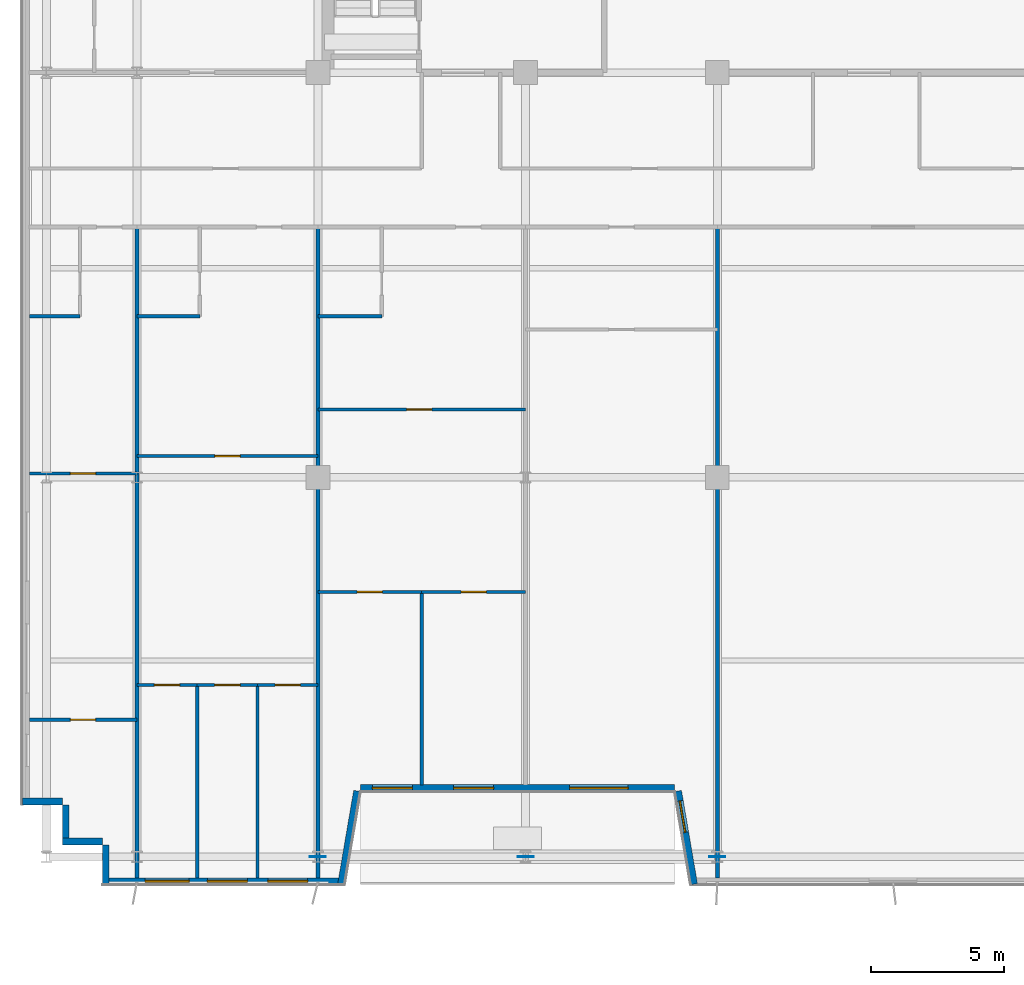
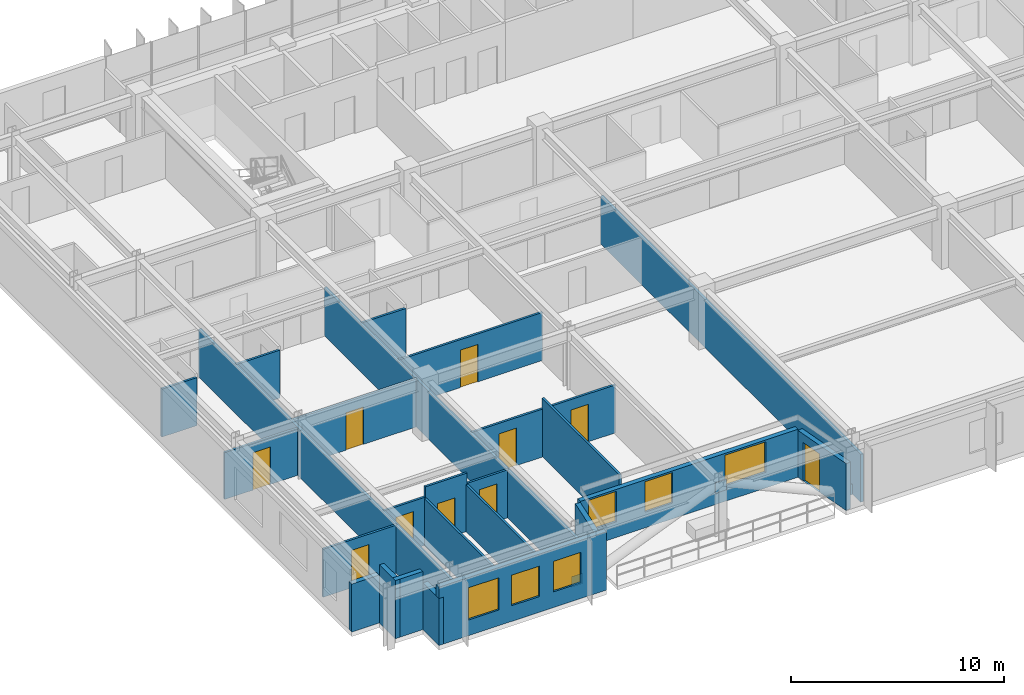
# One storey, part 15 of 23: 26 walls, 10 doors, 6 windows, 3 plates, 16 openings.
"""IFC4 building model written with IfcOpenShell, lengths in metres."""

from ifc_helpers import new_model, si_unit, direction, frame, frame_2d, origin, origin_2d, place, context, subcontext, project, spatial, rectangle, extrude, source, transform, mapped, material, layer, layer_set, type_object, element, fill, save


model = new_model("IFC4")

# Units and contexts
model_context = context("Model", 3, precision=1e-05, world=origin(), true_north=direction((0.0, 1.0)))
body_context = subcontext(model_context, "Body", "Model", "MODEL_VIEW")
ifc_project = project(units=[si_unit("LENGTHUNIT", "METRE"), si_unit("AREAUNIT", "SQUARE_METRE"), si_unit("VOLUMEUNIT", "CUBIC_METRE"), si_unit("PLANEANGLEUNIT", "RADIAN"), si_unit("MASSUNIT", "GRAM", prefix="KILO")], contexts=[model_context])

# Site, building, storey
site_placement = place(None, origin())
site = spatial("IfcSite", under=ifc_project, at=site_placement, CompositionType="ELEMENT")
building_placement = place(site_placement, origin())
building = spatial("IfcBuilding", under=site, at=building_placement, Name="Trelvane Seafront Commons", CompositionType="ELEMENT")
storey_placement = place(building_placement, frame((0.0, 0.0, 63.10009765625)))
storey = spatial("IfcBuildingStorey", under=building, at=storey_placement, Name="L16", CompositionType="ELEMENT", Elevation=63.10009765625)

# Plates
ifc_material_1 = material(Name="Steel SM355 (S355)", Category="steel")
ifc_layer_1 = layer(ifc_material_1, 0.031982421875, Name="STR-PLT-GUS2")
ifc_layer_set_1 = layer_set([ifc_layer_1], Name="Steel SM355 (S355)")
plate_type = type_object("IfcPlateType", Name="STR-PLT-GUS2", PredefinedType="SHEET", material=ifc_layer_set_1)
shared_shape_1 = source(origin(), body_context, "Body", "SweptSolid", [
    extrude(rectangle(XDim=0.60009765625, YDim=0.031982421875, at=origin_2d()), origin(), (0.0, 0.0, 1.0), 0.60009765625),
])
for number, where, z_axis, x_axis, name in (
    (1, (15.60009765625, 3.949951171875, -0.020263671875), (0.0, 0.0, 1.0), (1.0, 0.0, 0.0), "L16 Brace Connection Gusset Plate GP-162"),
    (2, (23.39990234375, 3.949951171875, 2.639892578125), (0.0, 0.0, 1.0), (1.0, 0.0, 0.0), "L16 Brace Connection Gusset Plate GP-163"),
    (3, (30.60009765625, 3.949951171875, -0.020263671875), (0.0, 0.0, 1.0), (1.0, 0.0, 0.0), "L16 Brace Connection Gusset Plate GP-164"),
):
    element("IfcPlate", number, at=place(storey_placement, frame(where, z_axis=z_axis, x_axis=x_axis)), inside=storey, type_object=plate_type, Name=name, PredefinedType="SHEET", context=body_context, shape_type="MappedRepresentation", body=[
        mapped(shared_shape_1, transform((0.0, 0.0, 0.0), x_axis=(1.0, 0.0, 0.0), y_axis=(0.0, 1.0, 0.0), z_axis=(0.0, 0.0, 1.0), scale=1.0)),
    ])

# Walls
ifc_material_2 = material(Name="Precast concrete C40/50", Category="concrete")
ifc_layer_2 = layer(ifc_material_2, 0.260009765625, Name="ARCH-WALL-EXT260")
ifc_layer_set_2 = layer_set([ifc_layer_2], Name="Precast concrete C40/50")
wall_type_1 = type_object("IfcWallType", Name="ARCH-WALL-EXT260", PredefinedType="SOLIDWALL", material=ifc_layer_set_2)
for number, where, z_axis, x_axis, name in (
    (4, (7.5, 4.530029296875, 0.0), (0.0, 0.0, 1.0), (-1.0, 0.0, 0.0), "EW-L16-00278"),
    (5, (6.1298828125, 4.39990234375, 0.0), (0.0, 0.0, 1.0), (0.0, 1.0, 0.0), "EW-L16-00279"),
):
    element("IfcWall", number, at=place(storey_placement, frame(where, z_axis=z_axis, x_axis=x_axis)), inside=storey, type_object=wall_type_1, Name=name, PredefinedType="SOLIDWALL", context=body_context, shape_type="SweptSolid", body=[
        extrude(rectangle(XDim=1.5, YDim=0.260009765625, at=frame_2d((0.75, 0.0))), origin(), (0.0, 0.0, 1.0), 3.33984375),
    ])
wall_1_placement = place(storey_placement, frame((6.0, 6.030029296875, 0.0), z_axis=(0.0, 0.0, 1.0), x_axis=(-1.0, 0.0, 0.0)))
element("IfcWall", 6, at=wall_1_placement, inside=storey, type_object=wall_type_1, Name="EW-L16-00280", PredefinedType="SOLIDWALL", context=body_context, shape_type="SweptSolid", body=[
    extrude(rectangle(XDim=1.5, YDim=0.260009765625, at=frame_2d((0.75, 0.0))), origin(), (0.0, 0.0, 1.0), 2.751953125),
])

# Wall, opening, door
wall_2_placement = place(storey_placement, frame((29.72802734375, 2.922119140625, 0.0), z_axis=(0.0, 0.0, 1.0), x_axis=(-0.168923741424, 0.98562912375, 0.0)))
wall_2 = element("IfcWall", 7, at=wall_2_placement, inside=storey, type_object=wall_type_1, Name="EW-L16-00296", PredefinedType="SOLIDWALL", context=body_context, shape_type="SweptSolid", body=[
    extrude(rectangle(XDim=3.551025390625, YDim=0.260009765625, at=frame_2d((1.775390625, 0.0))), origin(), (0.0, 0.0, 1.0), 2.68994140625),
])
opening_1_placement = place(wall_2_placement, frame((1.970947265625, 0.0, 0.0)))
opening_1 = element("IfcOpeningElement", 8, at=opening_1_placement, cuts=wall_2, Name="Opening TD-L16-43", PredefinedType="OPENING", context=body_context, shape_type="SweptSolid", body=[
    extrude(rectangle(XDim=1.199951171875, YDim=2.199951171875, at=frame_2d((0.60009765625, 1.10009765625))), frame((0.0, 0.139892578125, 0.0), z_axis=(0.0, -1.0, 0.0), x_axis=(1.0, 0.0, 0.0)), (0.0, 0.0, 1.0), 0.280029296875),
])
ifc_material_3 = material(Name="Powder-coated aluminium frame", Category="aluminium")
door_type_1 = type_object("IfcDoorType", Name="ARCH-DR-BAL1200", OperationType="NOTDEFINED", PredefinedType="DOOR", material=ifc_material_3)
shared_shape_2 = source(origin(), body_context, "Body", "SweptSolid", [
    extrude(rectangle(XDim=1.199951171875, YDim=2.199951171875, at=frame_2d((0.60009765625, 1.10009765625))), frame((0.0, 0.02490234375, 0.0), z_axis=(0.0, -1.0, 0.0), x_axis=(1.0, 0.0, 0.0)), (0.0, 0.0, 1.0), 0.050048828125),
])
door_1_placement = place(opening_1_placement, origin())
door_1 = element("IfcDoor", 9, at=door_1_placement, inside=storey, type_object=door_type_1, Name="L16 Setback Terrace Access Door", OperationType="SINGLE_SWING_RIGHT", OverallHeight=2.199951171875, OverallWidth=1.199951171875, PredefinedType="DOOR", context=body_context, shape_type="MappedRepresentation", body=[
    mapped(shared_shape_2, transform((0.0, 0.0, 0.0), x_axis=(1.0, 0.0, 0.0), y_axis=(0.0, 1.0, 0.0), z_axis=(0.0, 0.0, 1.0), scale=1.0)),
])
fill(opening_1, door_1)

# Wall, openings, windows
wall_3_placement = place(storey_placement, frame((29.0, 6.530029296875, 0.0), z_axis=(0.0, 0.0, 1.0), x_axis=(-1.0, 0.0, 0.0)))
wall_3 = element("IfcWall", 10, at=wall_3_placement, inside=storey, type_object=wall_type_1, Name="EW-L16-00297", PredefinedType="SOLIDWALL", context=body_context, shape_type="SweptSolid", body=[
    extrude(rectangle(XDim=11.800048828125, YDim=0.260009765625, at=frame_2d((5.89990234375, 0.0))), origin(), (0.0, 0.0, 1.0), 2.751953125),
])
opening_2_placement = place(wall_3_placement, frame((1.7451171875, 0.0, 0.89990234375)))
opening_2 = element("IfcOpeningElement", 11, at=opening_2_placement, cuts=wall_3, Name="Opening W02", PredefinedType="OPENING", context=body_context, shape_type="SweptSolid", body=[
    extrude(rectangle(XDim=2.199951171875, YDim=1.75, at=frame_2d((1.10009765625, 0.875))), frame((0.0, 0.139892578125, 0.0), z_axis=(0.0, -1.0, 0.0), x_axis=(1.0, 0.0, 0.0)), (0.0, 0.0, 1.0), 0.280029296875),
])
opening_3_placement = place(wall_3_placement, frame((6.800048828125, 0.0, 0.89990234375)))
opening_3 = element("IfcOpeningElement", 12, at=opening_3_placement, cuts=wall_3, Name="Opening W03", PredefinedType="OPENING", context=body_context, shape_type="SweptSolid", body=[
    extrude(rectangle(XDim=1.5, YDim=1.75, at=frame_2d((0.75, 0.875))), frame((0.0, 0.139892578125, 0.0), z_axis=(0.0, -1.0, 0.0), x_axis=(1.0, 0.0, 0.0)), (0.0, 0.0, 1.0), 0.280029296875),
])
opening_4_placement = place(wall_3_placement, frame((9.85498046875, 0.0, 0.89990234375)))
opening_4 = element("IfcOpeningElement", 13, at=opening_4_placement, cuts=wall_3, Name="Opening W03", PredefinedType="OPENING", context=body_context, shape_type="SweptSolid", body=[
    extrude(rectangle(XDim=1.5, YDim=1.75, at=frame_2d((0.75, 0.875))), frame((0.0, 0.139892578125, 0.0), z_axis=(0.0, -1.0, 0.0), x_axis=(1.0, 0.0, 0.0)), (0.0, 0.0, 1.0), 0.280029296875),
])
ifc_material_4 = material(Name="Low-E coastal double glazing", Category="glass")
window_type_1 = type_object("IfcWindowType", Name="ARCH-WIN-W03", PartitioningType="SINGLE_PANEL", PredefinedType="WINDOW", material=ifc_material_4)
shared_shape_3 = source(origin(), body_context, "Body", "SweptSolid", [
    extrude(rectangle(XDim=1.5, YDim=1.75, at=frame_2d((0.75, 0.875))), frame((0.0, 0.030029296875, 0.0), z_axis=(0.0, -1.0, 0.0), x_axis=(1.0, 0.0, 0.0)), (0.0, 0.0, 1.0), 0.06005859375),
])
window_1_placement = place(opening_3_placement, origin())
window_1 = element("IfcWindow", 14, at=window_1_placement, inside=storey, type_object=window_type_1, Name="WIN-L16-00350", OverallHeight=1.75, OverallWidth=1.5, PartitioningType="SINGLE_PANEL", PredefinedType="WINDOW", context=body_context, shape_type="MappedRepresentation", body=[
    mapped(shared_shape_3, transform((0.0, 0.0, 0.0), x_axis=(1.0, 0.0, 0.0), y_axis=(0.0, 1.0, 0.0), z_axis=(0.0, 0.0, 1.0), scale=1.0)),
])
fill(opening_3, window_1)
window_2_placement = place(opening_4_placement, origin())
window_2 = element("IfcWindow", 15, at=window_2_placement, inside=storey, type_object=window_type_1, Name="WIN-L16-00351", OverallHeight=1.75, OverallWidth=1.5, PartitioningType="SINGLE_PANEL", PredefinedType="WINDOW", context=body_context, shape_type="MappedRepresentation", body=[
    mapped(shared_shape_3, transform((0.0, 0.0, 0.0), x_axis=(1.0, 0.0, 0.0), y_axis=(0.0, 1.0, 0.0), z_axis=(0.0, 0.0, 1.0), scale=1.0)),
])
fill(opening_4, window_2)
window_type_2 = type_object("IfcWindowType", Name="ARCH-WIN-W02", PartitioningType="SINGLE_PANEL", PredefinedType="WINDOW", material=ifc_material_4)
shared_shape_4 = source(origin(), body_context, "Body", "SweptSolid", [
    extrude(rectangle(XDim=2.199951171875, YDim=1.75, at=frame_2d((1.10009765625, 0.875))), frame((0.0, 0.030029296875, 0.0), z_axis=(0.0, -1.0, 0.0), x_axis=(1.0, 0.0, 0.0)), (0.0, 0.0, 1.0), 0.06005859375),
])
window_3_placement = place(opening_2_placement, origin())
window_3 = element("IfcWindow", 16, at=window_3_placement, inside=storey, type_object=window_type_2, Name="WIN-L16-00349", OverallHeight=1.75, OverallWidth=2.199951171875, PartitioningType="SINGLE_PANEL", PredefinedType="WINDOW", context=body_context, shape_type="MappedRepresentation", body=[
    mapped(shared_shape_4, transform((0.0, 0.0, 0.0), x_axis=(1.0, 0.0, 0.0), y_axis=(0.0, 1.0, 0.0), z_axis=(0.0, 0.0, 1.0), scale=1.0)),
])
fill(opening_2, window_3)

# Wall
wall_4_placement = place(storey_placement, frame((17.072021484375, 6.422119140625, 0.0), z_axis=(0.0, 0.0, 1.0), x_axis=(-0.168990530437, -0.98561767467, 0.0)))
element("IfcWall", 17, at=wall_4_placement, inside=storey, type_object=wall_type_1, Name="EW-L16-00298", PredefinedType="SOLIDWALL", context=body_context, shape_type="SweptSolid", body=[
    extrude(rectangle(XDim=3.551025390625, YDim=0.260009765625, at=frame_2d((1.775390625, 0.0))), origin(), (0.0, 0.0, 1.0), 2.68994140625),
])

# Wall, openings, windows
wall_5_placement = place(storey_placement, frame((16.60009765625, 3.030029296875, 0.0), z_axis=(0.0, 0.0, 1.0), x_axis=(-1.0, 0.0, 0.0)))
wall_5 = element("IfcWall", 18, at=wall_5_placement, inside=storey, type_object=wall_type_1, Name="EW-L16-00299", PredefinedType="SOLIDWALL", context=body_context, shape_type="SweptSolid", body=[
    extrude(rectangle(XDim=9.10009765625, YDim=0.260009765625, at=frame_2d((4.550048828125, 0.0))), origin(), (0.0, 0.0, 1.0), 3.33984375),
])
opening_5_placement = place(wall_5_placement, frame((1.383056640625, 0.0, 0.89990234375)))
opening_5 = element("IfcOpeningElement", 19, at=opening_5_placement, cuts=wall_5, Name="Opening W03", PredefinedType="OPENING", context=body_context, shape_type="SweptSolid", body=[
    extrude(rectangle(XDim=1.5, YDim=1.75, at=frame_2d((0.75, 0.875))), frame((0.0, 0.139892578125, 0.0), z_axis=(0.0, -1.0, 0.0), x_axis=(1.0, 0.0, 0.0)), (0.0, 0.0, 1.0), 0.280029296875),
])
opening_6_placement = place(wall_5_placement, frame((3.64990234375, 0.0, 0.89990234375)))
opening_6 = element("IfcOpeningElement", 20, at=opening_6_placement, cuts=wall_5, Name="Opening W03", PredefinedType="OPENING", context=body_context, shape_type="SweptSolid", body=[
    extrude(rectangle(XDim=1.5, YDim=1.75, at=frame_2d((0.75, 0.875))), frame((0.0, 0.139892578125, 0.0), z_axis=(0.0, -1.0, 0.0), x_axis=(1.0, 0.0, 0.0)), (0.0, 0.0, 1.0), 0.280029296875),
])
opening_7_placement = place(wall_5_placement, frame((5.841064453125, 0.0, 0.89990234375)))
opening_7 = element("IfcOpeningElement", 21, at=opening_7_placement, cuts=wall_5, Name="Opening W07", PredefinedType="OPENING", context=body_context, shape_type="SweptSolid", body=[
    extrude(rectangle(XDim=1.64990234375, YDim=1.85009765625, at=frame_2d((0.824951171875, 0.925048828125))), frame((0.0, 0.139892578125, 0.0), z_axis=(0.0, -1.0, 0.0), x_axis=(1.0, 0.0, 0.0)), (0.0, 0.0, 1.0), 0.280029296875),
])
window_4_placement = place(opening_5_placement, origin())
window_4 = element("IfcWindow", 22, at=window_4_placement, inside=storey, type_object=window_type_1, Name="WIN-L16-00352", OverallHeight=1.75, OverallWidth=1.5, PartitioningType="SINGLE_PANEL", PredefinedType="WINDOW", context=body_context, shape_type="MappedRepresentation", body=[
    mapped(shared_shape_3, transform((0.0, 0.0, 0.0), x_axis=(1.0, 0.0, 0.0), y_axis=(0.0, 1.0, 0.0), z_axis=(0.0, 0.0, 1.0), scale=1.0)),
])
fill(opening_5, window_4)
window_5_placement = place(opening_6_placement, origin())
window_5 = element("IfcWindow", 23, at=window_5_placement, inside=storey, type_object=window_type_1, Name="WIN-L16-00353", OverallHeight=1.75, OverallWidth=1.5, PartitioningType="SINGLE_PANEL", PredefinedType="WINDOW", context=body_context, shape_type="MappedRepresentation", body=[
    mapped(shared_shape_3, transform((0.0, 0.0, 0.0), x_axis=(1.0, 0.0, 0.0), y_axis=(0.0, 1.0, 0.0), z_axis=(0.0, 0.0, 1.0), scale=1.0)),
])
fill(opening_6, window_5)
window_type_3 = type_object("IfcWindowType", Name="ARCH-WIN-W07", PartitioningType="SINGLE_PANEL", PredefinedType="WINDOW", material=ifc_material_4)
shared_shape_5 = source(origin(), body_context, "Body", "SweptSolid", [
    extrude(rectangle(XDim=1.64990234375, YDim=1.85009765625, at=frame_2d((0.824951171875, 0.925048828125))), frame((0.0, 0.030029296875, 0.0), z_axis=(0.0, -1.0, 0.0), x_axis=(1.0, 0.0, 0.0)), (0.0, 0.0, 1.0), 0.06005859375),
])
window_6_placement = place(opening_7_placement, origin())
window_6 = element("IfcWindow", 24, at=window_6_placement, inside=storey, type_object=window_type_3, Name="WIN-L16-00354", OverallHeight=1.85009765625, OverallWidth=1.64990234375, PartitioningType="SINGLE_PANEL", PredefinedType="WINDOW", context=body_context, shape_type="MappedRepresentation", body=[
    mapped(shared_shape_5, transform((0.0, 0.0, 0.0), x_axis=(1.0, 0.0, 0.0), y_axis=(0.0, 1.0, 0.0), z_axis=(0.0, 0.0, 1.0), scale=1.0)),
])
fill(opening_7, window_6)

# Wall
wall_6_placement = place(storey_placement, frame((7.6298828125, 2.89990234375, 0.0), z_axis=(0.0, 0.0, 1.0), x_axis=(0.0, 1.0, 0.0)))
element("IfcWall", 25, at=wall_6_placement, inside=storey, type_object=wall_type_1, Name="EW-L16-00300", PredefinedType="SOLIDWALL", context=body_context, shape_type="SweptSolid", body=[
    extrude(rectangle(XDim=1.5, YDim=0.260009765625, at=frame_2d((0.75, 0.0))), origin(), (0.0, 0.0, 1.0), 2.68994140625),
])

# Wall, opening, door
ifc_material_5 = material(Name="Gypsum Drywall Acoustic Partition")
ifc_layer_3 = layer(ifc_material_5, 0.1201171875, Name="ARCH-WALL-PART120")
ifc_layer_set_3 = layer_set([ifc_layer_3], Name="Gypsum Drywall Acoustic Partition")
wall_type_2 = type_object("IfcWallType", Name="ARCH-WALL-PART120", PredefinedType="PARTITIONING", material=ifc_layer_set_3)
wall_7_placement = place(storey_placement, frame((4.760009765625, 18.35009765625, 0.0), z_axis=(0.0, 0.0, 1.0), x_axis=(1.0, 0.0, 0.0)))
wall_7 = element("IfcWall", 26, at=wall_7_placement, inside=storey, type_object=wall_type_2, Name="W-L16-U1-KL-068", PredefinedType="PARTITIONING", context=body_context, shape_type="SweptSolid", body=[
    extrude(rectangle(XDim=4.0400390625, YDim=0.1201171875, at=frame_2d((2.02001953125, 0.0))), origin(), (0.0, 0.0, 1.0), 2.68994140625),
])
opening_8_placement = place(wall_7_placement, frame((1.544921875, 0.0, 0.0)))
opening_8 = element("IfcOpeningElement", 27, at=opening_8_placement, cuts=wall_7, Name="Opening D-L16-33", PredefinedType="OPENING", context=body_context, shape_type="SweptSolid", body=[
    extrude(rectangle(XDim=0.949951171875, YDim=2.14990234375, at=frame_2d((0.47509765625, 1.074951171875))), frame((0.0, 0.070068359375, 0.0), z_axis=(0.0, -1.0, 0.0), x_axis=(1.0, 0.0, 0.0)), (0.0, 0.0, 1.0), 0.14013671875),
])
ifc_material_6 = material(Name="Acoustic timber door leaf", Category="wood")
door_type_2 = type_object("IfcDoorType", Name="ARCH-DR-INT950", OperationType="NOTDEFINED", PredefinedType="DOOR", material=ifc_material_6)
shared_shape_6 = source(origin(), body_context, "Body", "SweptSolid", [
    extrude(rectangle(XDim=0.949951171875, YDim=2.14990234375, at=frame_2d((0.47509765625, 1.074951171875))), frame((0.0, 0.02490234375, 0.0), z_axis=(0.0, -1.0, 0.0), x_axis=(1.0, 0.0, 0.0)), (0.0, 0.0, 1.0), 0.050048828125),
])
door_2_placement = place(opening_8_placement, origin())
door_2 = element("IfcDoor", 28, at=door_2_placement, inside=storey, type_object=door_type_2, Name="L16 Door 33", OperationType="SINGLE_SWING_LEFT", OverallHeight=2.14990234375, OverallWidth=0.949951171875, PredefinedType="DOOR", context=body_context, shape_type="MappedRepresentation", body=[
    mapped(shared_shape_6, transform((0.0, 0.0, 0.0), x_axis=(1.0, 0.0, 0.0), y_axis=(0.0, 1.0, 0.0), z_axis=(0.0, 0.0, 1.0), scale=1.0)),
])
fill(opening_8, door_2)

# Wall
wall_8_placement = place(storey_placement, frame((4.760009765625, 24.25, 0.0), z_axis=(0.0, 0.0, 1.0), x_axis=(1.0, 0.0, 0.0)))
element("IfcWall", 29, at=wall_8_placement, inside=storey, type_object=wall_type_2, Name="W-L16-U1-BS-070", PredefinedType="PARTITIONING", context=body_context, shape_type="SweptSolid", body=[
    extrude(rectangle(XDim=1.89990234375, YDim=0.1201171875, at=frame_2d((0.949951171875, 0.0))), origin(), (0.0, 0.0, 1.0), 2.751953125),
])

# Wall, opening, door
wall_9_placement = place(storey_placement, frame((4.760009765625, 9.10009765625, 0.0), z_axis=(0.0, 0.0, 1.0), x_axis=(1.0, 0.0, 0.0)))
wall_9 = element("IfcWall", 30, at=wall_9_placement, inside=storey, type_object=wall_type_2, Name="W-L16-U1-YM-1-072", PredefinedType="PARTITIONING", context=body_context, shape_type="SweptSolid", body=[
    extrude(rectangle(XDim=4.0400390625, YDim=0.1201171875, at=frame_2d((2.02001953125, 0.0))), origin(), (0.0, 0.0, 1.0), 2.751953125),
])
opening_9_placement = place(wall_9_placement, frame((1.544921875, 0.0, 0.0)))
opening_9 = element("IfcOpeningElement", 31, at=opening_9_placement, cuts=wall_9, Name="Opening D-L16-36", PredefinedType="OPENING", context=body_context, shape_type="SweptSolid", body=[
    extrude(rectangle(XDim=0.949951171875, YDim=2.14990234375, at=frame_2d((0.47509765625, 1.074951171875))), frame((0.0, 0.070068359375, 0.0), z_axis=(0.0, -1.0, 0.0), x_axis=(1.0, 0.0, 0.0)), (0.0, 0.0, 1.0), 0.14013671875),
])
door_3_placement = place(opening_9_placement, origin())
door_3 = element("IfcDoor", 32, at=door_3_placement, inside=storey, type_object=door_type_2, Name="L16 Door 36", OperationType="SINGLE_SWING_RIGHT", OverallHeight=2.14990234375, OverallWidth=0.949951171875, PredefinedType="DOOR", context=body_context, shape_type="MappedRepresentation", body=[
    mapped(shared_shape_6, transform((0.0, 0.0, 0.0), x_axis=(1.0, 0.0, 0.0), y_axis=(0.0, 1.0, 0.0), z_axis=(0.0, 0.0, 1.0), scale=1.0)),
])
fill(opening_9, door_3)

wall_10_placement = place(storey_placement, frame((8.800048828125, 19.0, 0.0), z_axis=(0.0, 0.0, 1.0), x_axis=(1.0, 0.0, 0.0)))
wall_10 = element("IfcWall", 33, at=wall_10_placement, inside=storey, type_object=wall_type_2, Name="W-L16-U2-KL-073", PredefinedType="PARTITIONING", context=body_context, shape_type="SweptSolid", body=[
    extrude(rectangle(XDim=6.800048828125, YDim=0.1201171875, at=frame_2d((3.39990234375, 0.0))), origin(), (0.0, 0.0, 1.0), 2.751953125),
])
opening_10_placement = place(wall_10_placement, frame((2.925048828125, 0.0, 0.0)))
opening_10 = element("IfcOpeningElement", 34, at=opening_10_placement, cuts=wall_10, Name="Opening D-L16-37", PredefinedType="OPENING", context=body_context, shape_type="SweptSolid", body=[
    extrude(rectangle(XDim=0.949951171875, YDim=2.14990234375, at=frame_2d((0.47509765625, 1.074951171875))), frame((0.0, 0.070068359375, 0.0), z_axis=(0.0, -1.0, 0.0), x_axis=(1.0, 0.0, 0.0)), (0.0, 0.0, 1.0), 0.14013671875),
])
door_4_placement = place(opening_10_placement, origin())
door_4 = element("IfcDoor", 35, at=door_4_placement, inside=storey, type_object=door_type_2, Name="L16 Door 37", OperationType="SINGLE_SWING_LEFT", OverallHeight=2.14990234375, OverallWidth=0.949951171875, PredefinedType="DOOR", context=body_context, shape_type="MappedRepresentation", body=[
    mapped(shared_shape_6, transform((0.0, 0.0, 0.0), x_axis=(1.0, 0.0, 0.0), y_axis=(0.0, 1.0, 0.0), z_axis=(0.0, 0.0, 1.0), scale=1.0)),
])
fill(opening_10, door_4)

# Wall
wall_11_placement = place(storey_placement, frame((8.800048828125, 24.25, 0.0), z_axis=(0.0, 0.0, 1.0), x_axis=(1.0, 0.0, 0.0)))
element("IfcWall", 36, at=wall_11_placement, inside=storey, type_object=wall_type_2, Name="W-L16-U2-BS-075", PredefinedType="PARTITIONING", context=body_context, shape_type="SweptSolid", body=[
    extrude(rectangle(XDim=2.362060546875, YDim=0.1201171875, at=frame_2d((1.18115234375, 0.0))), origin(), (0.0, 0.0, 1.0), 2.751953125),
])

# Wall, opening, door
wall_12_placement = place(storey_placement, frame((8.800048828125, 10.39990234375, 0.0), z_axis=(0.0, 0.0, 1.0), x_axis=(1.0, 0.0, 0.0)))
wall_12 = element("IfcWall", 37, at=wall_12_placement, inside=storey, type_object=wall_type_2, Name="W-L16-U2-YM-1-077", PredefinedType="PARTITIONING", context=body_context, shape_type="SweptSolid", body=[
    extrude(rectangle(XDim=2.266845703125, YDim=0.1201171875, at=frame_2d((1.13330078125, 0.0))), origin(), (0.0, 0.0, 1.0), 2.751953125),
])
opening_11_placement = place(wall_12_placement, frame((0.657958984375, 0.0, 0.0)))
opening_11 = element("IfcOpeningElement", 38, at=opening_11_placement, cuts=wall_12, Name="Opening D-L16-40", PredefinedType="OPENING", context=body_context, shape_type="SweptSolid", body=[
    extrude(rectangle(XDim=0.949951171875, YDim=2.14990234375, at=frame_2d((0.47509765625, 1.074951171875))), frame((0.0, 0.070068359375, 0.0), z_axis=(0.0, -1.0, 0.0), x_axis=(1.0, 0.0, 0.0)), (0.0, 0.0, 1.0), 0.14013671875),
])
door_5_placement = place(opening_11_placement, origin())
door_5 = element("IfcDoor", 39, at=door_5_placement, inside=storey, type_object=door_type_2, Name="L16 Door 40", OperationType="SINGLE_SWING_RIGHT", OverallHeight=2.14990234375, OverallWidth=0.949951171875, PredefinedType="DOOR", context=body_context, shape_type="MappedRepresentation", body=[
    mapped(shared_shape_6, transform((0.0, 0.0, 0.0), x_axis=(1.0, 0.0, 0.0), y_axis=(0.0, 1.0, 0.0), z_axis=(0.0, 0.0, 1.0), scale=1.0)),
])
fill(opening_11, door_5)

wall_13_placement = place(storey_placement, frame((11.06689453125, 10.39990234375, 0.0), z_axis=(0.0, 0.0, 1.0), x_axis=(1.0, 0.0, 0.0)))
wall_13 = element("IfcWall", 40, at=wall_13_placement, inside=storey, type_object=wall_type_2, Name="W-L16-U2-YM-2-078", PredefinedType="PARTITIONING", context=body_context, shape_type="SweptSolid", body=[
    extrude(rectangle(XDim=2.26611328125, YDim=0.1201171875, at=frame_2d((1.133056640625, 0.0))), origin(), (0.0, 0.0, 1.0), 3.33984375),
])
opening_12_placement = place(wall_13_placement, frame((0.657958984375, 0.0, 0.0)))
opening_12 = element("IfcOpeningElement", 41, at=opening_12_placement, cuts=wall_13, Name="Opening D-L16-41", PredefinedType="OPENING", context=body_context, shape_type="SweptSolid", body=[
    extrude(rectangle(XDim=0.949951171875, YDim=2.14990234375, at=frame_2d((0.47509765625, 1.074951171875))), frame((0.0, 0.070068359375, 0.0), z_axis=(0.0, -1.0, 0.0), x_axis=(1.0, 0.0, 0.0)), (0.0, 0.0, 1.0), 0.14013671875),
])
door_6_placement = place(opening_12_placement, origin())
door_6 = element("IfcDoor", 42, at=door_6_placement, inside=storey, type_object=door_type_2, Name="L16 Door 41", OperationType="SINGLE_SWING_LEFT", OverallHeight=2.14990234375, OverallWidth=0.949951171875, PredefinedType="DOOR", context=body_context, shape_type="MappedRepresentation", body=[
    mapped(shared_shape_6, transform((0.0, 0.0, 0.0), x_axis=(1.0, 0.0, 0.0), y_axis=(0.0, 1.0, 0.0), z_axis=(0.0, 0.0, 1.0), scale=1.0)),
])
fill(opening_12, door_6)

# Wall
wall_14_placement = place(storey_placement, frame((11.06689453125, 3.14501953125, 0.0), z_axis=(0.0, 0.0, 1.0), x_axis=(0.0, 1.0, 0.0)))
element("IfcWall", 43, at=wall_14_placement, inside=storey, type_object=wall_type_2, Name="W-L16-U2-BDV-1-079", PredefinedType="PARTITIONING", context=body_context, shape_type="SweptSolid", body=[
    extrude(rectangle(XDim=7.2548828125, YDim=0.1201171875, at=frame_2d((3.62744140625, 0.0))), origin(), (0.0, 0.0, 1.0), 2.68994140625),
])

# Wall, opening, door
wall_15_placement = place(storey_placement, frame((13.3330078125, 10.39990234375, 0.0), z_axis=(0.0, 0.0, 1.0), x_axis=(1.0, 0.0, 0.0)))
wall_15 = element("IfcWall", 44, at=wall_15_placement, inside=storey, type_object=wall_type_2, Name="W-L16-U2-YM-3-080", PredefinedType="PARTITIONING", context=body_context, shape_type="SweptSolid", body=[
    extrude(rectangle(XDim=2.26708984375, YDim=0.1201171875, at=frame_2d((1.133544921875, 0.0))), origin(), (0.0, 0.0, 1.0), 2.751953125),
])
opening_13_placement = place(wall_15_placement, frame((0.657958984375, 0.0, 0.0)))
opening_13 = element("IfcOpeningElement", 45, at=opening_13_placement, cuts=wall_15, Name="Opening D-L16-42", PredefinedType="OPENING", context=body_context, shape_type="SweptSolid", body=[
    extrude(rectangle(XDim=0.949951171875, YDim=2.14990234375, at=frame_2d((0.47509765625, 1.074951171875))), frame((0.0, 0.070068359375, 0.0), z_axis=(0.0, -1.0, 0.0), x_axis=(1.0, 0.0, 0.0)), (0.0, 0.0, 1.0), 0.14013671875),
])
door_7_placement = place(opening_13_placement, origin())
door_7 = element("IfcDoor", 46, at=door_7_placement, inside=storey, type_object=door_type_2, Name="L16 Door 42", OperationType="SINGLE_SWING_RIGHT", OverallHeight=2.14990234375, OverallWidth=0.949951171875, PredefinedType="DOOR", context=body_context, shape_type="MappedRepresentation", body=[
    mapped(shared_shape_6, transform((0.0, 0.0, 0.0), x_axis=(1.0, 0.0, 0.0), y_axis=(0.0, 1.0, 0.0), z_axis=(0.0, 0.0, 1.0), scale=1.0)),
])
fill(opening_13, door_7)

# Wall
wall_16_placement = place(storey_placement, frame((13.3330078125, 3.14501953125, 0.0), z_axis=(0.0, 0.0, 1.0), x_axis=(0.0, 1.0, 0.0)))
element("IfcWall", 47, at=wall_16_placement, inside=storey, type_object=wall_type_2, Name="W-L16-U2-BDV-2-081", PredefinedType="PARTITIONING", context=body_context, shape_type="SweptSolid", body=[
    extrude(rectangle(XDim=7.2548828125, YDim=0.1201171875, at=frame_2d((3.62744140625, 0.0))), origin(), (0.0, 0.0, 1.0), 2.68994140625),
])

# Wall, opening, door
wall_17_placement = place(storey_placement, frame((15.60009765625, 20.75, 0.0), z_axis=(0.0, 0.0, 1.0), x_axis=(1.0, 0.0, 0.0)))
wall_17 = element("IfcWall", 48, at=wall_17_placement, inside=storey, type_object=wall_type_2, Name="W-L16-U3-KL-082", PredefinedType="PARTITIONING", context=body_context, shape_type="SweptSolid", body=[
    extrude(rectangle(XDim=7.7998046875, YDim=0.1201171875, at=frame_2d((3.89990234375, 0.0))), origin(), (0.0, 0.0, 1.0), 2.751953125),
])
opening_14_placement = place(wall_17_placement, frame((3.3330078125, 0.0, 0.0)))
opening_14 = element("IfcOpeningElement", 49, at=opening_14_placement, cuts=wall_17, Name="Opening D-L16-43", PredefinedType="OPENING", context=body_context, shape_type="SweptSolid", body=[
    extrude(rectangle(XDim=0.949951171875, YDim=2.14990234375, at=frame_2d((0.47509765625, 1.074951171875))), frame((0.0, 0.070068359375, 0.0), z_axis=(0.0, -1.0, 0.0), x_axis=(1.0, 0.0, 0.0)), (0.0, 0.0, 1.0), 0.14013671875),
])
door_8_placement = place(opening_14_placement, origin())
door_8 = element("IfcDoor", 50, at=door_8_placement, inside=storey, type_object=door_type_2, Name="L16 Door 43", OperationType="SINGLE_SWING_LEFT", OverallHeight=2.14990234375, OverallWidth=0.949951171875, PredefinedType="DOOR", context=body_context, shape_type="MappedRepresentation", body=[
    mapped(shared_shape_6, transform((0.0, 0.0, 0.0), x_axis=(1.0, 0.0, 0.0), y_axis=(0.0, 1.0, 0.0), z_axis=(0.0, 0.0, 1.0), scale=1.0)),
])
fill(opening_14, door_8)

# Wall
wall_18_placement = place(storey_placement, frame((15.60009765625, 24.25, 0.0), z_axis=(0.0, 0.0, 1.0), x_axis=(1.0, 0.0, 0.0)))
element("IfcWall", 51, at=wall_18_placement, inside=storey, type_object=wall_type_2, Name="W-L16-U3-BS-084", PredefinedType="PARTITIONING", context=body_context, shape_type="SweptSolid", body=[
    extrude(rectangle(XDim=2.39990234375, YDim=0.1201171875, at=frame_2d((1.199951171875, 0.0))), origin(), (0.0, 0.0, 1.0), 2.751953125),
])

# Wall, opening, door
wall_19_placement = place(storey_placement, frame((15.60009765625, 13.89990234375, 0.0), z_axis=(0.0, 0.0, 1.0), x_axis=(1.0, 0.0, 0.0)))
wall_19 = element("IfcWall", 52, at=wall_19_placement, inside=storey, type_object=wall_type_2, Name="W-L16-U3-YM-1-086", PredefinedType="PARTITIONING", context=body_context, shape_type="SweptSolid", body=[
    extrude(rectangle(XDim=3.89990234375, YDim=0.1201171875, at=frame_2d((1.949951171875, 0.0))), origin(), (0.0, 0.0, 1.0), 2.751953125),
])
opening_15_placement = place(wall_19_placement, frame((1.47509765625, 0.0, 0.0)))
opening_15 = element("IfcOpeningElement", 53, at=opening_15_placement, cuts=wall_19, Name="Opening D-L16-46", PredefinedType="OPENING", context=body_context, shape_type="SweptSolid", body=[
    extrude(rectangle(XDim=0.949951171875, YDim=2.14990234375, at=frame_2d((0.47509765625, 1.074951171875))), frame((0.0, 0.070068359375, 0.0), z_axis=(0.0, -1.0, 0.0), x_axis=(1.0, 0.0, 0.0)), (0.0, 0.0, 1.0), 0.14013671875),
])
door_9_placement = place(opening_15_placement, origin())
door_9 = element("IfcDoor", 54, at=door_9_placement, inside=storey, type_object=door_type_2, Name="L16 Door 46", OperationType="SINGLE_SWING_RIGHT", OverallHeight=2.14990234375, OverallWidth=0.949951171875, PredefinedType="DOOR", context=body_context, shape_type="MappedRepresentation", body=[
    mapped(shared_shape_6, transform((0.0, 0.0, 0.0), x_axis=(1.0, 0.0, 0.0), y_axis=(0.0, 1.0, 0.0), z_axis=(0.0, 0.0, 1.0), scale=1.0)),
])
fill(opening_15, door_9)

wall_20_placement = place(storey_placement, frame((19.5, 13.89990234375, 0.0), z_axis=(0.0, 0.0, 1.0), x_axis=(1.0, 0.0, 0.0)))
wall_20 = element("IfcWall", 55, at=wall_20_placement, inside=storey, type_object=wall_type_2, Name="W-L16-U3-YM-2-087", PredefinedType="PARTITIONING", context=body_context, shape_type="SweptSolid", body=[
    extrude(rectangle(XDim=3.89990234375, YDim=0.1201171875, at=frame_2d((1.949951171875, 0.0))), origin(), (0.0, 0.0, 1.0), 2.751953125),
])
opening_16_placement = place(wall_20_placement, frame((1.47509765625, 0.0, 0.0)))
opening_16 = element("IfcOpeningElement", 56, at=opening_16_placement, cuts=wall_20, Name="Opening D-L16-47", PredefinedType="OPENING", context=body_context, shape_type="SweptSolid", body=[
    extrude(rectangle(XDim=0.949951171875, YDim=2.14990234375, at=frame_2d((0.47509765625, 1.074951171875))), frame((0.0, 0.070068359375, 0.0), z_axis=(0.0, -1.0, 0.0), x_axis=(1.0, 0.0, 0.0)), (0.0, 0.0, 1.0), 0.14013671875),
])
door_10_placement = place(opening_16_placement, origin())
door_10 = element("IfcDoor", 57, at=door_10_placement, inside=storey, type_object=door_type_2, Name="L16 Door 47", OperationType="SINGLE_SWING_LEFT", OverallHeight=2.14990234375, OverallWidth=0.949951171875, PredefinedType="DOOR", context=body_context, shape_type="MappedRepresentation", body=[
    mapped(shared_shape_6, transform((0.0, 0.0, 0.0), x_axis=(1.0, 0.0, 0.0), y_axis=(0.0, 1.0, 0.0), z_axis=(0.0, 0.0, 1.0), scale=1.0)),
])
fill(opening_16, door_10)

# Walls
wall_21_placement = place(storey_placement, frame((19.5, 6.64501953125, 0.0), z_axis=(0.0, 0.0, 1.0), x_axis=(0.0, 1.0, 0.0)))
element("IfcWall", 58, at=wall_21_placement, inside=storey, type_object=wall_type_2, Name="W-L16-U3-BDV-1-088", PredefinedType="PARTITIONING", context=body_context, shape_type="SweptSolid", body=[
    extrude(rectangle(XDim=7.2548828125, YDim=0.1201171875, at=frame_2d((3.62744140625, 0.0))), origin(), (0.0, 0.0, 1.0), 3.33984375),
])
ifc_layer_4 = layer(ifc_material_5, 0.14990234375, Name="ARCH-WALL-PART150")
ifc_layer_set_4 = layer_set([ifc_layer_4], Name="Gypsum Drywall Acoustic Partition")
wall_type_3 = type_object("IfcWallType", Name="ARCH-WALL-PART150", PredefinedType="PARTITIONING", material=ifc_layer_set_4)
for number, where, z_axis, x_axis, name in (
    (59, (8.800048828125, 3.14501953125, 0.0), (0.0, 0.0, 1.0), (0.0, 1.0, 0.0), "W-L16-PW-1-061"),
    (60, (15.60009765625, 3.14501953125, 0.0), (0.0, 0.0, 1.0), (0.0, 1.0, 0.0), "W-L16-PW-2-062"),
    (61, (30.60009765625, 3.14501953125, 0.0), (0.0, 0.0, 1.0), (0.0, 1.0, 0.0), "W-L16-PW-4-064"),
):
    element("IfcWall", number, at=place(storey_placement, frame(where, z_axis=z_axis, x_axis=x_axis)), inside=storey, type_object=wall_type_3, Name=name, PredefinedType="PARTITIONING", context=body_context, shape_type="SweptSolid", body=[
        extrude(rectangle(XDim=24.455078125, YDim=0.14990234375, at=frame_2d((12.2275390625, 0.0))), origin(), (0.0, 0.0, 1.0), 2.751953125),
    ])

save(model, "model.ifc")
